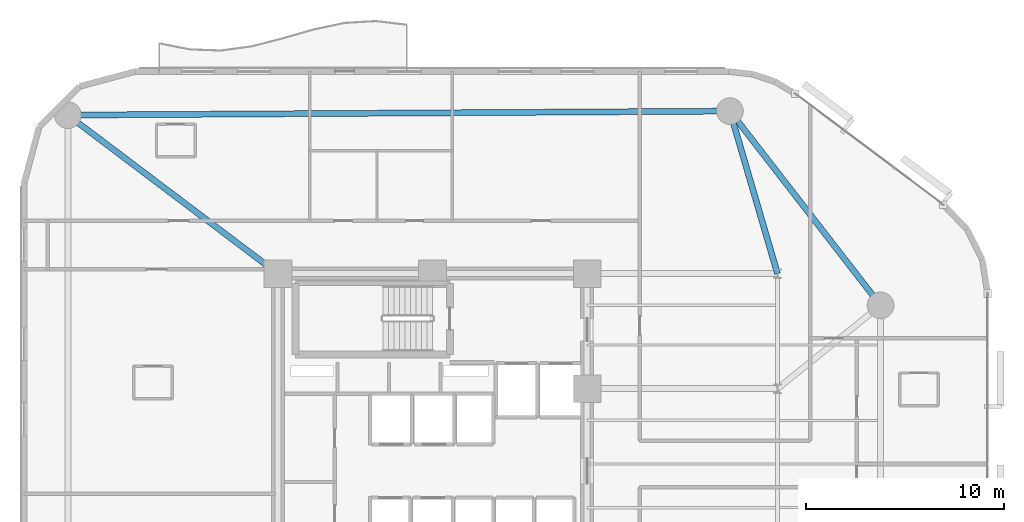
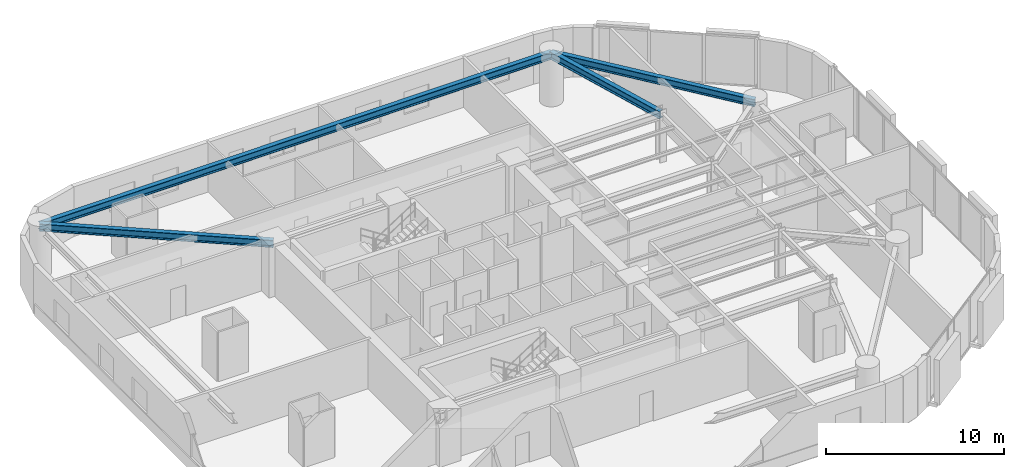
# One storey, part 7 of 16: 4 beams.
"""IFC4 building model written with IfcOpenShell, lengths in metres."""

from ifc_helpers import new_model, si_unit, direction, frame, origin, origin_2d, place, context, subcontext, project, spatial, i_section, extrude, material, material_profile, profile_set, type_object, element, save


model = new_model("IFC4")

# Units and contexts
model_context = context("Model", 3, precision=1e-05, world=origin(), true_north=direction((0.0, 1.0)))
body_context = subcontext(model_context, "Body", "Model", "MODEL_VIEW")
ifc_project = project(units=[si_unit("LENGTHUNIT", "METRE"), si_unit("AREAUNIT", "SQUARE_METRE"), si_unit("VOLUMEUNIT", "CUBIC_METRE"), si_unit("PLANEANGLEUNIT", "RADIAN"), si_unit("MASSUNIT", "GRAM", prefix="KILO")], contexts=[model_context])

# Site, building, storey
site_placement = place(None, origin())
site = spatial("IfcSite", under=ifc_project, at=site_placement, CompositionType="ELEMENT")
building_placement = place(site_placement, origin())
building = spatial("IfcBuilding", under=site, at=building_placement, Name="An Khanh Terracotta Commons", CompositionType="ELEMENT")
storey_placement = place(building_placement, frame((0.0, 0.0, 100.699951171875)))
storey = spatial("IfcBuildingStorey", under=building, at=storey_placement, Name="L26", CompositionType="ELEMENT", Elevation=100.699951171875)

# Beams
ifc_material = material(Name="Steel S355J2", Category="steel")
ifc_material_profile = material_profile(ifc_material, i_section(OverallWidth=0.300048828125, OverallDepth=0.5, WebThickness=0.014404296875, FlangeThickness=0.028076171875, FilletRadius=0.027099609375, at=origin_2d()), Name="HEB500")
ifc_profile_set = profile_set([ifc_material_profile], Name="Steel S355J2")
beam_type = type_object("IfcBeamType", Name="BM-HEB500", PredefinedType="BEAM", material=ifc_profile_set)
beam_1_placement = place(storey_placement, frame((52.0, 32.0, 3.150146484375), z_axis=(-0.612826529795, 0.790217466511, 0.0), x_axis=(-0.790217466511, -0.612826529795, 0.0)))
element("IfcBeam", 1, at=beam_1_placement, inside=storey, type_object=beam_type, Name="L26 Perimeter Ring Spandrel 4", PredefinedType="BEAM", context=body_context, shape_type="SweptSolid", body=[
    extrude(i_section(OverallWidth=0.300048828125, OverallDepth=0.5, WebThickness=0.014404296875, FlangeThickness=0.028076171875, FilletRadius=0.027099609375, at=origin_2d()), origin(), (0.0, 0.0, 1.0), 12.401611328125),
])
beam_2_placement = place(storey_placement, frame((44.39990234375, 41.800048828125, 3.150146484375), z_axis=(-0.999982080914, -0.005986472262, 0.0), x_axis=(0.005986472262, -0.999982080914, 0.0)))
element("IfcBeam", 2, at=beam_2_placement, inside=storey, type_object=beam_type, Name="L26 Perimeter Ring Spandrel 5", PredefinedType="BEAM", context=body_context, shape_type="SweptSolid", body=[
    extrude(i_section(OverallWidth=0.300048828125, OverallDepth=0.5, WebThickness=0.014404296875, FlangeThickness=0.028076171875, FilletRadius=0.027099609375, at=origin_2d()), origin(), (0.0, 0.0, 1.0), 33.400390625),
])
beam_3_placement = place(storey_placement, frame((44.39990234375, 41.800048828125, 3.150146484375), z_axis=(0.280916085823, -0.959732333896, 0.0), x_axis=(0.959732333896, 0.280916085823, 0.0)))
element("IfcBeam", 3, at=beam_3_placement, inside=storey, type_object=beam_type, Name="L26 Mega-Column Tie Girder 5", PredefinedType="BEAM", context=body_context, shape_type="SweptSolid", body=[
    extrude(i_section(OverallWidth=0.300048828125, OverallDepth=0.5, WebThickness=0.014404296875, FlangeThickness=0.028076171875, FilletRadius=0.027099609375, at=origin_2d()), origin(), (0.0, 0.0, 1.0), 8.5439453125),
])
beam_4_placement = place(storey_placement, frame((11.0, 41.60009765625, 3.150146484375), z_axis=(0.798191818888, -0.602403370061, 0.0), x_axis=(0.602403370061, 0.798191818888, 0.0)))
element("IfcBeam", 4, at=beam_4_placement, inside=storey, type_object=beam_type, Name="L26 Mega-Column Tie Girder 6", PredefinedType="BEAM", context=body_context, shape_type="SweptSolid", body=[
    extrude(i_section(OverallWidth=0.300048828125, OverallDepth=0.5, WebThickness=0.014404296875, FlangeThickness=0.028076171875, FilletRadius=0.027099609375, at=origin_2d()), origin(), (0.0, 0.0, 1.0), 13.280029296875),
])

save(model, "model.ifc")
